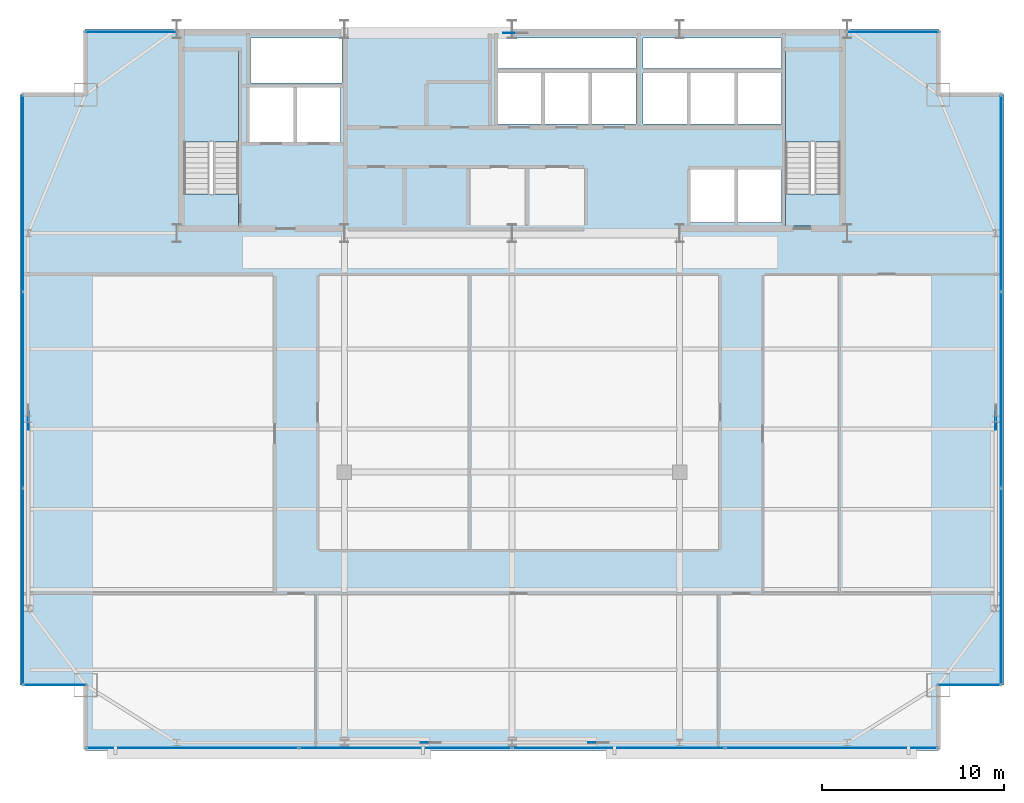
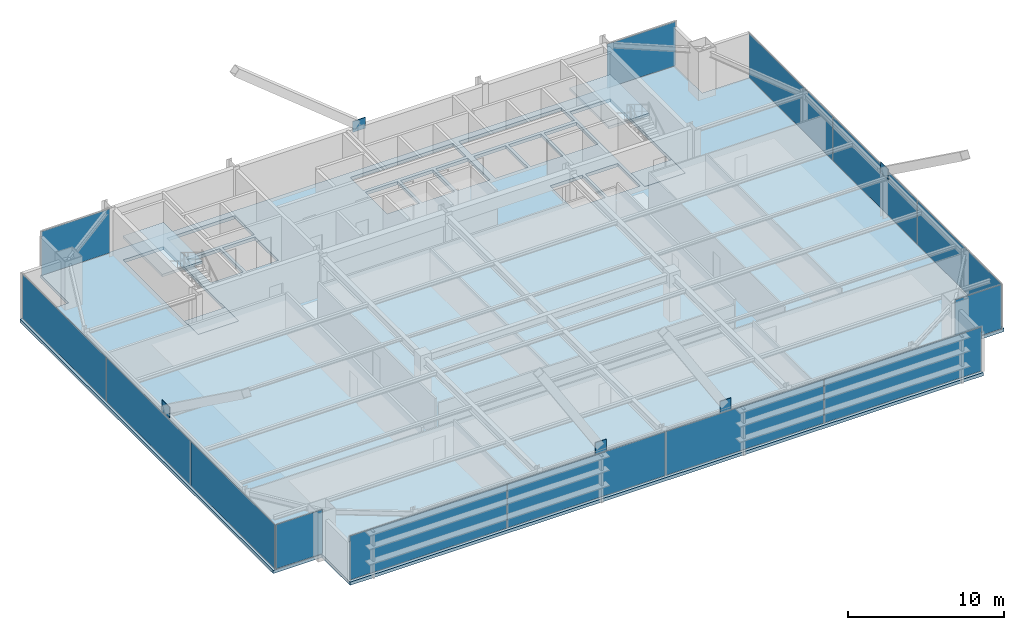
# One storey, part 23 of 30: 19 plates, 5 slabs, 9 elements without a shape of their own.
"""IFC4 building model written with IfcOpenShell, lengths in metres."""

from ifc_helpers import new_model, si_unit, direction, frame, origin, origin_2d, place, context, subcontext, project, spatial, polyline, rectangle, outline, extrude, source, transform, mapped, material, layer, layer_set, type_object, type_shapes, element, aggregate, save


model = new_model("IFC4")

# Units and contexts
model_context = context("Model", 3, precision=1e-05, world=origin(), true_north=direction((0.0, 1.0)))
body_context = subcontext(model_context, "Body", "Model", "MODEL_VIEW")
ifc_project = project(units=[si_unit("LENGTHUNIT", "METRE"), si_unit("AREAUNIT", "SQUARE_METRE"), si_unit("VOLUMEUNIT", "CUBIC_METRE"), si_unit("PLANEANGLEUNIT", "RADIAN"), si_unit("MASSUNIT", "GRAM", prefix="KILO")], contexts=[model_context])

# Site, building, storey
site_placement = place(None, origin())
site = spatial("IfcSite", under=ifc_project, at=site_placement, CompositionType="ELEMENT")
building_placement = place(site_placement, origin())
building = spatial("IfcBuilding", under=site, at=building_placement, Name="Varnel Quay Broadcast Tower", CompositionType="ELEMENT")
storey_placement = place(building_placement, frame((0.0, 0.0, 149.60009765625)))
storey = spatial("IfcBuildingStorey", under=building, at=storey_placement, Name="L36", CompositionType="ELEMENT", Elevation=149.60009765625)

# Slabs
ifc_material_1 = material(Name="Concrete CSA A23.3 C50/60", Category="concrete")
ifc_layer_1 = layer(ifc_material_1, 0.25, Name="Concrete CSA A23.3 C50/60")
ifc_layer_set_1 = layer_set([ifc_layer_1], Name="Concrete CSA A23.3 C50/60")
slab_type_1 = type_object("IfcSlabType", Name="Slab_Floor250", PredefinedType="FLOOR", material=ifc_layer_set_1)
slab_1_placement = place(storey_placement, frame((0.0, 0.0, -0.25)))
element("IfcSlab", 1, at=slab_1_placement, inside=storey, type_object=slab_type_1, Name="L36 Structural Slab", PredefinedType="FLOOR", context=body_context, shape_type="SweptSolid", body=[
    extrude(outline(polyline([(10.60009765625, 7.199951171875), (57.39990234375, 7.199951171875), (57.39990234375, 10.800048828125), (61.0, 10.800048828125), (61.0, 43.199951171875), (57.39990234375, 43.199951171875), (57.39990234375, 46.800048828125), (10.60009765625, 46.800048828125), (10.60009765625, 43.199951171875), (7.0, 43.199951171875), (7.0, 10.800048828125), (10.60009765625, 10.800048828125), (10.60009765625, 7.199951171875)]), holes=[polyline([(19.0, 36.0), (16.0, 36.0), (16.0, 45.60009765625), (19.0, 45.60009765625), (19.0, 36.0)]), polyline([(19.60009765625, 43.60009765625), (22.0, 43.60009765625), (22.0, 40.60009765625), (19.60009765625, 40.60009765625), (19.60009765625, 43.60009765625)]), polyline([(22.199951171875, 43.60009765625), (24.60009765625, 43.60009765625), (24.60009765625, 40.60009765625), (22.199951171875, 40.60009765625), (22.199951171875, 43.60009765625)]), polyline([(33.199951171875, 44.39990234375), (35.60009765625, 44.39990234375), (35.60009765625, 41.60009765625), (33.199951171875, 41.60009765625), (33.199951171875, 44.39990234375)]), polyline([(35.800048828125, 44.39990234375), (38.199951171875, 44.39990234375), (38.199951171875, 41.60009765625), (35.800048828125, 41.60009765625), (35.800048828125, 44.39990234375)]), polyline([(38.39990234375, 44.39990234375), (40.800048828125, 44.39990234375), (40.800048828125, 41.60009765625), (38.39990234375, 41.60009765625), (38.39990234375, 44.39990234375)]), polyline([(19.64990234375, 46.300048828125), (24.679931640625, 46.300048828125), (24.679931640625, 43.85009765625), (19.64990234375, 43.85009765625), (19.64990234375, 46.300048828125)]), polyline([(33.199951171875, 46.300048828125), (40.800048828125, 46.300048828125), (40.800048828125, 44.64990234375), (33.199951171875, 44.64990234375), (33.199951171875, 46.300048828125)]), polyline([(43.800048828125, 39.10009765625), (46.199951171875, 39.10009765625), (46.199951171875, 36.199951171875), (43.800048828125, 36.199951171875), (43.800048828125, 39.10009765625)]), polyline([(46.39990234375, 39.10009765625), (48.800048828125, 39.10009765625), (48.800048828125, 36.199951171875), (46.39990234375, 36.199951171875), (46.39990234375, 39.10009765625)]), polyline([(49.0, 36.0), (49.0, 45.60009765625), (52.0, 45.60009765625), (52.0, 36.0), (49.0, 36.0)]), polyline([(41.199951171875, 44.39990234375), (43.60009765625, 44.39990234375), (43.60009765625, 41.60009765625), (41.199951171875, 41.60009765625), (41.199951171875, 44.39990234375)]), polyline([(43.800048828125, 44.39990234375), (46.199951171875, 44.39990234375), (46.199951171875, 41.60009765625), (43.800048828125, 41.60009765625), (43.800048828125, 44.39990234375)]), polyline([(46.39990234375, 44.39990234375), (48.800048828125, 44.39990234375), (48.800048828125, 41.60009765625), (46.39990234375, 41.60009765625), (46.39990234375, 44.39990234375)]), polyline([(41.199951171875, 46.300048828125), (48.800048828125, 46.300048828125), (48.800048828125, 44.64990234375), (41.199951171875, 44.64990234375), (41.199951171875, 46.300048828125)])]), origin(), (0.0, 0.0, 1.0), 0.25),
])
ifc_layer_2 = layer(ifc_material_1, 0.25, Name="Concrete CSA A23.3 C50/60")
ifc_layer_set_2 = layer_set([ifc_layer_2], Name="Concrete CSA A23.3 C50/60")
slab_type_2 = type_object("IfcSlabType", Name="Slab_StairFloorLanding250", PredefinedType="FLOOR", material=ifc_layer_set_2)
slab_2_placement = place(storey_placement, frame((0.0, 0.0, -0.25)))
element("IfcSlab", 2, at=slab_2_placement, inside=storey, type_object=slab_type_2, Name="L36 ST-01 Structural Floor Landing Slab", PredefinedType="FLOOR", context=body_context, shape_type="SweptSolid", body=[
    extrude(outline(polyline([(19.0, 36.0), (19.0, 37.75), (16.0, 37.75), (16.0, 36.0), (19.0, 36.0)])), origin(), (0.0, 0.0, 1.0), 0.25),
])
slab_3_placement = place(storey_placement, frame((0.0, 0.0, -0.25)))
element("IfcSlab", 3, at=slab_3_placement, inside=storey, type_object=slab_type_2, Name="L36 ST-02 Structural Floor Landing Slab", PredefinedType="FLOOR", context=body_context, shape_type="SweptSolid", body=[
    extrude(outline(polyline([(52.0, 36.0), (52.0, 37.75), (49.0, 37.75), (49.0, 36.0), (52.0, 36.0)])), origin(), (0.0, 0.0, 1.0), 0.25),
])

# Stair, slab
ifc_material_2 = material(Name="Precast Structural Concrete C40/50", Category="concrete")
stair_type_1 = type_object("IfcStairType", Name="Stair_ST-01", PredefinedType="HALF_TURN_STAIR", material=ifc_material_2)
stair_1_placement = place(storey_placement, origin())
stair_1 = element("IfcStair", 4, at=stair_1_placement, inside=storey, type_object=stair_type_1, Name="L36 West Core Exit Stair 1", PredefinedType="HALF_TURN_STAIR")
ifc_layer_3 = layer(ifc_material_2, 0.199951171875, Name="Precast Structural Concrete C40/50")
ifc_layer_set_3 = layer_set([ifc_layer_3], Name="Precast Structural Concrete C40/50")
slab_type_3 = type_object("IfcSlabType", Name="Slab_StairLanding200", PredefinedType="LANDING", material=ifc_layer_set_3)
slab_4_placement = place(storey_placement, frame((0.0, 0.0, 1.699951171875)))
slab_4 = element("IfcSlab", 5, at=slab_4_placement, type_object=slab_type_3, Name="ST-01 landing 1", PredefinedType="LANDING", context=body_context, shape_type="SweptSolid", body=[
    extrude(outline(polyline([(19.0, 40.60009765625), (19.0, 45.60009765625), (16.0, 45.60009765625), (16.0, 40.60009765625), (19.0, 40.60009765625)])), origin(), (0.0, 0.0, 1.0), 0.199951171875),
])
aggregate(stair_1, [slab_4])

stair_type_2 = type_object("IfcStairType", Name="Stair_ST-02", PredefinedType="HALF_TURN_STAIR", material=ifc_material_2)
stair_2_placement = place(storey_placement, origin())
stair_2 = element("IfcStair", 6, at=stair_2_placement, inside=storey, type_object=stair_type_2, Name="L36 East Core Exit Stair 2", PredefinedType="HALF_TURN_STAIR")
slab_5_placement = place(storey_placement, frame((0.0, 0.0, 1.699951171875)))
slab_5 = element("IfcSlab", 7, at=slab_5_placement, type_object=slab_type_3, Name="ST-02 landing 1", PredefinedType="LANDING", context=body_context, shape_type="SweptSolid", body=[
    extrude(outline(polyline([(52.0, 40.60009765625), (52.0, 45.60009765625), (49.0, 45.60009765625), (49.0, 40.60009765625), (52.0, 40.60009765625)])), origin(), (0.0, 0.0, 1.0), 0.199951171875),
])
aggregate(stair_2, [slab_5])

# Plates
ifc_material_3 = material(Name="Structural Steel CSA G40.21 350WT", Category="steel")
ifc_layer_4 = layer(ifc_material_3, 0.0400390625, Name="Structural Steel CSA G40.21 350WT")
ifc_layer_set_4 = layer_set([ifc_layer_4], Name="Structural Steel CSA G40.21 350WT")
plate_type_1 = type_object("IfcPlateType", Name="Plate_MegaGusset", PredefinedType="USERDEFINED", material=ifc_layer_set_4)
shared_shape_1 = source(origin(), body_context, "Body", "SweptSolid", [
    extrude(rectangle(XDim=0.819091796875, YDim=0.0400390625, at=origin_2d()), origin(), (0.0, 0.0, 1.0), 1.053955078125),
])
for number, where, z_axis, x_axis, name in (
    (8, (29.39990234375, 7.64990234375, 3.14794921875), (0.0, 0.0, 1.0), (1.0, 0.0, 0.0), "Zone 3 Mega-Brace S-C1T1 Central X-Crossing Gusset Plate"),
    (9, (38.60009765625, 7.64990234375, 3.14794921875), (0.0, 0.0, 1.0), (1.0, 0.0, 0.0), "Zone 3 Mega-Brace S-C2T1 Central X-Crossing Gusset Plate"),
):
    element("IfcPlate", number, at=place(storey_placement, frame(where, z_axis=z_axis, x_axis=x_axis)), inside=storey, type_object=plate_type_1, Name=name, ObjectType="GUSSET_PLATE", PredefinedType="USERDEFINED", context=body_context, shape_type="MappedRepresentation", body=[
        mapped(shared_shape_1, transform((0.0, 0.0, 0.0), x_axis=(1.0, 0.0, 0.0), y_axis=(0.0, 1.0, 0.0), z_axis=(0.0, 0.0, 1.0), scale=1.0)),
    ])
shared_shape_2 = source(origin(), body_context, "Body", "SweptSolid", [
    extrude(rectangle(XDim=0.955078125, YDim=0.0400390625, at=origin_2d()), origin(), (0.0, 0.0, 1.0), 0.85791015625),
])
plate_1_placement = place(storey_placement, frame((34.0, 46.580078125, 3.245849609375), z_axis=(0.0, 0.0, 1.0), x_axis=(1.0, 0.0, 0.0)))
element("IfcPlate", 10, at=plate_1_placement, inside=storey, type_object=plate_type_1, Name="Zone 3 Mega-Brace N-CT1 Central X-Crossing Gusset Plate", ObjectType="GUSSET_PLATE", PredefinedType="USERDEFINED", context=body_context, shape_type="MappedRepresentation", body=[
    mapped(shared_shape_2, transform((0.0, 0.0, 0.0), x_axis=(1.0, 0.0, 0.0), y_axis=(0.0, 1.0, 0.0), z_axis=(0.0, 0.0, 1.0), scale=1.0)),
])
shared_shape_3 = source(origin(), body_context, "Body", "SweptSolid", [
    extrude(rectangle(XDim=0.991943359375, YDim=0.0400390625, at=origin_2d()), origin(), (0.0, 0.0, 1.0), 0.840087890625),
])
type_shapes(plate_type_1, [shared_shape_1, shared_shape_2, shared_shape_3])
for number, where, z_axis, x_axis, name in (
    (11, (7.449951171875, 25.300048828125, 3.2548828125), (0.0, 0.0, 1.0), (0.0, 1.0, 0.0), "Zone 3 Mega-Brace W-FT1 Central X-Crossing Gusset Plate"),
    (12, (60.550048828125, 25.300048828125, 3.2548828125), (0.0, 0.0, 1.0), (0.0, 1.0, 0.0), "Zone 3 Mega-Brace E-FT1 Central X-Crossing Gusset Plate"),
):
    element("IfcPlate", number, at=place(storey_placement, frame(where, z_axis=z_axis, x_axis=x_axis)), inside=storey, type_object=plate_type_1, Name=name, ObjectType="GUSSET_PLATE", PredefinedType="USERDEFINED", context=body_context, shape_type="MappedRepresentation", body=[
        mapped(shared_shape_3, transform((0.0, 0.0, 0.0), x_axis=(1.0, 0.0, 0.0), y_axis=(0.0, 1.0, 0.0), z_axis=(0.0, 0.0, 1.0), scale=1.0)),
    ])

# Curtain wall, plate
ifc_material_4 = material(Name="Anodised Bronze Aluminium 6063-T6", Category="aluminium")
ifc_layer_5 = layer(ifc_material_4, 0.18994140625, Name="Anodised Bronze Aluminium 6063-T6")
ifc_layer_set_5 = layer_set([ifc_layer_5], Name="Anodised Bronze Aluminium 6063-T6")
curtain_wall_type_1 = type_object("IfcCurtainWallType", Name="CW_NotchCorner", PredefinedType="NOTDEFINED", material=ifc_layer_set_5)
curtain_wall_1_placement = place(storey_placement, origin())
curtain_wall_1 = element("IfcCurtainWall", 13, at=curtain_wall_1_placement, inside=storey, type_object=curtain_wall_type_1, Name="L36 SW Notch Curtain Wall", PredefinedType="NOTDEFINED")
ifc_material_5 = material(Name="Triple-Glazed Bronze Low-E Architectural Glass", Category="glass")
ifc_layer_6 = layer(ifc_material_5, 0.028076171875, Name="Triple-Glazed Bronze Low-E Architectural Glass")
ifc_layer_set_6 = layer_set([ifc_layer_6], Name="Triple-Glazed Bronze Low-E Architectural Glass")
plate_type_2 = type_object("IfcPlateType", Name="Panel_CWS-04", PredefinedType="CURTAIN_PANEL", material=ifc_layer_set_6)
shared_shape_4 = source(origin(), body_context, "Body", "SweptSolid", [
    extrude(rectangle(XDim=3.409912109375, YDim=0.028076171875, at=origin_2d()), origin(), (0.0, 0.0, 1.0), 3.43994140625),
])
type_shapes(plate_type_2, [shared_shape_4])
plate_2_placement = place(storey_placement, frame((8.9150390625, 10.800048828125, 0.054931640625), z_axis=(0.0, 0.0, 1.0), x_axis=(1.0, 0.0, 0.0)))
plate_2 = element("IfcPlate", 14, at=plate_2_placement, type_object=plate_type_2, Name="CWS-04 panel 1.1", PredefinedType="CURTAIN_PANEL", context=body_context, shape_type="MappedRepresentation", body=[
    mapped(shared_shape_4, transform((0.0, 0.0, 0.0), x_axis=(1.0, 0.0, 0.0), y_axis=(0.0, 1.0, 0.0), z_axis=(0.0, 0.0, 1.0), scale=1.0)),
])
aggregate(curtain_wall_1, [plate_2])

curtain_wall_2_placement = place(storey_placement, origin())
curtain_wall_2 = element("IfcCurtainWall", 15, at=curtain_wall_2_placement, inside=storey, type_object=curtain_wall_type_1, Name="L36 SE Notch Curtain Wall", PredefinedType="NOTDEFINED")
plate_3_placement = place(storey_placement, frame((59.0849609375, 10.800048828125, 0.054931640625), z_axis=(0.0, 0.0, 1.0), x_axis=(1.0, 0.0, 0.0)))
plate_3 = element("IfcPlate", 16, at=plate_3_placement, type_object=plate_type_2, Name="CWS-04 panel 1.1", PredefinedType="CURTAIN_PANEL", context=body_context, shape_type="MappedRepresentation", body=[
    mapped(shared_shape_4, transform((0.0, 0.0, 0.0), x_axis=(1.0, 0.0, 0.0), y_axis=(0.0, 1.0, 0.0), z_axis=(0.0, 0.0, 1.0), scale=1.0)),
])
aggregate(curtain_wall_2, [plate_3])

ifc_layer_7 = layer(ifc_material_4, 0.18994140625, Name="Anodised Bronze Aluminium 6063-T6")
ifc_layer_set_7 = layer_set([ifc_layer_7], Name="Anodised Bronze Aluminium 6063-T6")
curtain_wall_type_2 = type_object("IfcCurtainWallType", Name="CW_UpperTower", PredefinedType="NOTDEFINED", material=ifc_layer_set_7)
curtain_wall_3_placement = place(storey_placement, origin())
curtain_wall_3 = element("IfcCurtainWall", 17, at=curtain_wall_3_placement, inside=storey, type_object=curtain_wall_type_2, Name="L36 West Unitised Curtain Wall", PredefinedType="NOTDEFINED")
ifc_material_6 = material(Name="Insulated Bronze Spandrel Glass", Category="glass")
ifc_layer_8 = layer(ifc_material_6, 0.030029296875, Name="Insulated Bronze Spandrel Glass")
ifc_layer_set_8 = layer_set([ifc_layer_8], Name="Insulated Bronze Spandrel Glass")
plate_type_3 = type_object("IfcPlateType", Name="PanelSp_CWS-03", PredefinedType="CURTAIN_PANEL", material=ifc_layer_set_8)
shared_shape_5 = source(origin(), body_context, "Body", "SweptSolid", [
    extrude(rectangle(XDim=10.702392578125, YDim=0.030029296875, at=origin_2d()), origin(), (0.0, 0.0, 1.0), 3.429931640625),
])
plate_4_placement = place(storey_placement, frame((7.14990234375, 16.21630859375, 0.06005859375), z_axis=(0.0, 0.0, 1.0), x_axis=(0.0, 1.0, 0.0)))
plate_4 = element("IfcPlate", 18, at=plate_4_placement, type_object=plate_type_3, Name="CWS-03 panel 1.1", PredefinedType="CURTAIN_PANEL", context=body_context, shape_type="MappedRepresentation", body=[
    mapped(shared_shape_5, transform((0.0, 0.0, 0.0), x_axis=(1.0, 0.0, 0.0), y_axis=(0.0, 1.0, 0.0), z_axis=(0.0, 0.0, 1.0), scale=1.0)),
])

curtain_wall_4_placement = place(storey_placement, origin())
curtain_wall_4 = element("IfcCurtainWall", 19, at=curtain_wall_4_placement, inside=storey, type_object=curtain_wall_type_2, Name="L36 East Unitised Curtain Wall", PredefinedType="NOTDEFINED")
plate_5_placement = place(storey_placement, frame((60.85009765625, 16.21630859375, 0.06005859375), z_axis=(0.0, 0.0, 1.0), x_axis=(0.0, 1.0, 0.0)))
plate_5 = element("IfcPlate", 20, at=plate_5_placement, type_object=plate_type_3, Name="CWS-03 panel 1.1", PredefinedType="CURTAIN_PANEL", context=body_context, shape_type="MappedRepresentation", body=[
    mapped(shared_shape_5, transform((0.0, 0.0, 0.0), x_axis=(1.0, 0.0, 0.0), y_axis=(0.0, 1.0, 0.0), z_axis=(0.0, 0.0, 1.0), scale=1.0)),
])

# Plate
shared_shape_6 = source(origin(), body_context, "Body", "SweptSolid", [
    extrude(rectangle(XDim=10.735107421875, YDim=0.030029296875, at=origin_2d()), origin(), (0.0, 0.0, 1.0), 3.429931640625),
])
plate_6_placement = place(storey_placement, frame((7.14990234375, 27.0, 0.06005859375), z_axis=(0.0, 0.0, 1.0), x_axis=(0.0, 1.0, 0.0)))
plate_6 = element("IfcPlate", 21, at=plate_6_placement, type_object=plate_type_3, Name="CWS-03 panel 2.1", PredefinedType="CURTAIN_PANEL", context=body_context, shape_type="MappedRepresentation", body=[
    mapped(shared_shape_6, transform((0.0, 0.0, 0.0), x_axis=(1.0, 0.0, 0.0), y_axis=(0.0, 1.0, 0.0), z_axis=(0.0, 0.0, 1.0), scale=1.0)),
])

plate_7_placement = place(storey_placement, frame((60.85009765625, 27.0, 0.06005859375), z_axis=(0.0, 0.0, 1.0), x_axis=(0.0, 1.0, 0.0)))
plate_7 = element("IfcPlate", 22, at=plate_7_placement, type_object=plate_type_3, Name="CWS-03 panel 2.1", PredefinedType="CURTAIN_PANEL", context=body_context, shape_type="MappedRepresentation", body=[
    mapped(shared_shape_6, transform((0.0, 0.0, 0.0), x_axis=(1.0, 0.0, 0.0), y_axis=(0.0, 1.0, 0.0), z_axis=(0.0, 0.0, 1.0), scale=1.0)),
])

# Curtain wall, plate
curtain_wall_5_placement = place(storey_placement, origin())
curtain_wall_5 = element("IfcCurtainWall", 23, at=curtain_wall_5_placement, inside=storey, type_object=curtain_wall_type_2, Name="L36 NW Wing Curtain Wall", PredefinedType="NOTDEFINED")
ifc_layer_9 = layer(ifc_material_5, 0.030029296875, Name="Triple-Glazed Bronze Low-E Architectural Glass")
ifc_layer_set_9 = layer_set([ifc_layer_9], Name="Triple-Glazed Bronze Low-E Architectural Glass")
plate_type_4 = type_object("IfcPlateType", Name="Panel_CWS-03", PredefinedType="CURTAIN_PANEL", material=ifc_layer_set_9)
shared_shape_7 = source(origin(), body_context, "Body", "SweptSolid", [
    extrude(rectangle(XDim=5.050048828125, YDim=0.030029296875, at=origin_2d()), origin(), (0.0, 0.0, 1.0), 3.429931640625),
])
plate_8_placement = place(storey_placement, frame((13.110107421875, 46.64990234375, 0.06005859375), z_axis=(0.0, 0.0, 1.0), x_axis=(1.0, 0.0, 0.0)))
plate_8 = element("IfcPlate", 24, at=plate_8_placement, type_object=plate_type_4, Name="CWS-03 panel 1.1", PredefinedType="CURTAIN_PANEL", context=body_context, shape_type="MappedRepresentation", body=[
    mapped(shared_shape_7, transform((0.0, 0.0, 0.0), x_axis=(1.0, 0.0, 0.0), y_axis=(0.0, 1.0, 0.0), z_axis=(0.0, 0.0, 1.0), scale=1.0)),
])
aggregate(curtain_wall_5, [plate_8])

curtain_wall_6_placement = place(storey_placement, origin())
curtain_wall_6 = element("IfcCurtainWall", 25, at=curtain_wall_6_placement, inside=storey, type_object=curtain_wall_type_2, Name="L36 NE Wing Curtain Wall", PredefinedType="NOTDEFINED")
plate_9_placement = place(storey_placement, frame((54.889892578125, 46.64990234375, 0.06005859375), z_axis=(0.0, 0.0, 1.0), x_axis=(1.0, 0.0, 0.0)))
plate_9 = element("IfcPlate", 26, at=plate_9_placement, type_object=plate_type_4, Name="CWS-03 panel 1.1", PredefinedType="CURTAIN_PANEL", context=body_context, shape_type="MappedRepresentation", body=[
    mapped(shared_shape_7, transform((0.0, 0.0, 0.0), x_axis=(1.0, 0.0, 0.0), y_axis=(0.0, 1.0, 0.0), z_axis=(0.0, 0.0, 1.0), scale=1.0)),
])
aggregate(curtain_wall_6, [plate_9])

# Curtain wall, plates
curtain_wall_7_placement = place(storey_placement, origin())
curtain_wall_7 = element("IfcCurtainWall", 27, at=curtain_wall_7_placement, inside=storey, type_object=curtain_wall_type_2, Name="L36 South Unitised Curtain Wall 1", PredefinedType="NOTDEFINED")
shared_shape_8 = source(origin(), body_context, "Body", "SweptSolid", [
    extrude(rectangle(XDim=11.6025390625, YDim=0.030029296875, at=origin_2d()), origin(), (0.0, 0.0, 1.0), 3.429931640625),
])
plate_10_placement = place(storey_placement, frame((16.46630859375, 7.35009765625, 0.06005859375), z_axis=(0.0, 0.0, 1.0), x_axis=(1.0, 0.0, 0.0)))
plate_10 = element("IfcPlate", 28, at=plate_10_placement, type_object=plate_type_4, Name="CWS-03 panel 1.1", PredefinedType="CURTAIN_PANEL", context=body_context, shape_type="MappedRepresentation", body=[
    mapped(shared_shape_8, transform((0.0, 0.0, 0.0), x_axis=(1.0, 0.0, 0.0), y_axis=(0.0, 1.0, 0.0), z_axis=(0.0, 0.0, 1.0), scale=1.0)),
])
plate_11_placement = place(storey_placement, frame((51.53369140625, 7.35009765625, 0.06005859375), z_axis=(0.0, 0.0, 1.0), x_axis=(1.0, 0.0, 0.0)))
plate_11 = element("IfcPlate", 29, at=plate_11_placement, type_object=plate_type_4, Name="CWS-03 panel 4.1", PredefinedType="CURTAIN_PANEL", context=body_context, shape_type="MappedRepresentation", body=[
    mapped(shared_shape_8, transform((0.0, 0.0, 0.0), x_axis=(1.0, 0.0, 0.0), y_axis=(0.0, 1.0, 0.0), z_axis=(0.0, 0.0, 1.0), scale=1.0)),
])
shared_shape_9 = source(origin(), body_context, "Body", "SweptSolid", [
    extrude(rectangle(XDim=11.635009765625, YDim=0.030029296875, at=origin_2d()), origin(), (0.0, 0.0, 1.0), 3.429931640625),
])
type_shapes(plate_type_3, [shared_shape_5, shared_shape_6, shared_shape_9])
plate_12_placement = place(storey_placement, frame((28.14990234375, 7.35009765625, 0.06005859375), z_axis=(0.0, 0.0, 1.0), x_axis=(1.0, 0.0, 0.0)))
plate_12 = element("IfcPlate", 30, at=plate_12_placement, type_object=plate_type_3, Name="CWS-03 panel 2.1", PredefinedType="CURTAIN_PANEL", context=body_context, shape_type="MappedRepresentation", body=[
    mapped(shared_shape_9, transform((0.0, 0.0, 0.0), x_axis=(1.0, 0.0, 0.0), y_axis=(0.0, 1.0, 0.0), z_axis=(0.0, 0.0, 1.0), scale=1.0)),
])
plate_13_placement = place(storey_placement, frame((39.85009765625, 7.35009765625, 0.06005859375), z_axis=(0.0, 0.0, 1.0), x_axis=(1.0, 0.0, 0.0)))
plate_13 = element("IfcPlate", 31, at=plate_13_placement, type_object=plate_type_3, Name="CWS-03 panel 3.1", PredefinedType="CURTAIN_PANEL", context=body_context, shape_type="MappedRepresentation", body=[
    mapped(shared_shape_9, transform((0.0, 0.0, 0.0), x_axis=(1.0, 0.0, 0.0), y_axis=(0.0, 1.0, 0.0), z_axis=(0.0, 0.0, 1.0), scale=1.0)),
])
aggregate(curtain_wall_7, [plate_10, plate_12, plate_13, plate_11])

# Plate
shared_shape_10 = source(origin(), body_context, "Body", "SweptSolid", [
    extrude(rectangle(XDim=10.702392578125, YDim=0.030029296875, at=origin_2d()), origin(), (0.0, 0.0, 1.0), 3.429931640625),
])
type_shapes(plate_type_4, [shared_shape_7, shared_shape_8, shared_shape_10])
plate_14_placement = place(storey_placement, frame((7.14990234375, 37.78369140625, 0.06005859375), z_axis=(0.0, 0.0, 1.0), x_axis=(0.0, 1.0, 0.0)))
plate_14 = element("IfcPlate", 32, at=plate_14_placement, type_object=plate_type_4, Name="CWS-03 panel 3.1", PredefinedType="CURTAIN_PANEL", context=body_context, shape_type="MappedRepresentation", body=[
    mapped(shared_shape_10, transform((0.0, 0.0, 0.0), x_axis=(1.0, 0.0, 0.0), y_axis=(0.0, 1.0, 0.0), z_axis=(0.0, 0.0, 1.0), scale=1.0)),
])

aggregate(curtain_wall_3, [plate_4, plate_6, plate_14])

plate_15_placement = place(storey_placement, frame((60.85009765625, 37.78369140625, 0.06005859375), z_axis=(0.0, 0.0, 1.0), x_axis=(0.0, 1.0, 0.0)))
plate_15 = element("IfcPlate", 33, at=plate_15_placement, type_object=plate_type_4, Name="CWS-03 panel 3.1", PredefinedType="CURTAIN_PANEL", context=body_context, shape_type="MappedRepresentation", body=[
    mapped(shared_shape_10, transform((0.0, 0.0, 0.0), x_axis=(1.0, 0.0, 0.0), y_axis=(0.0, 1.0, 0.0), z_axis=(0.0, 0.0, 1.0), scale=1.0)),
])

aggregate(curtain_wall_4, [plate_5, plate_7, plate_15])

save(model, "model.ifc")
